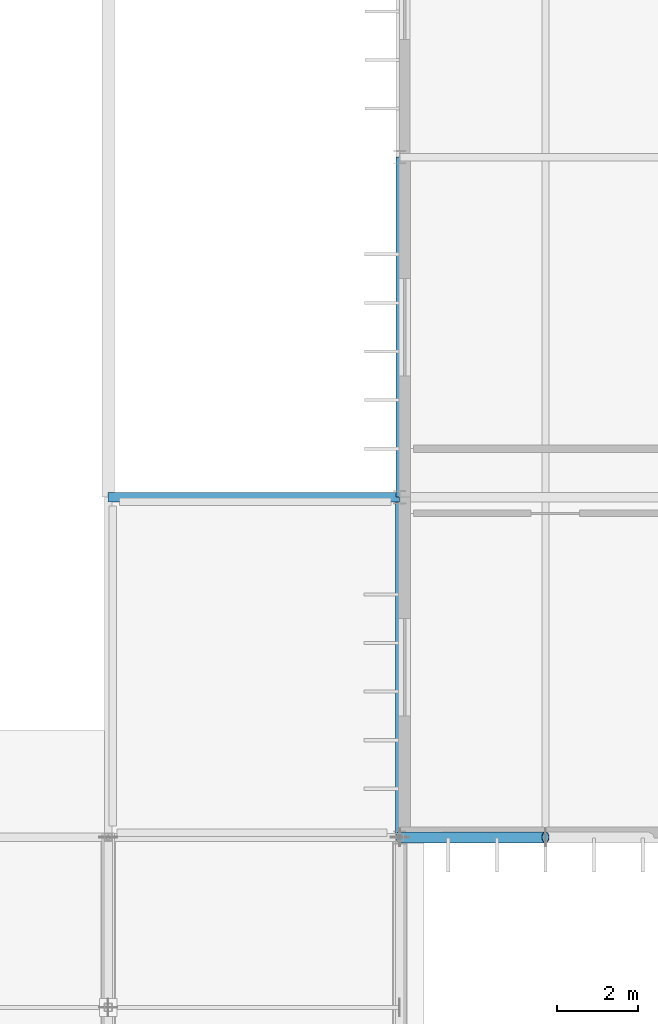
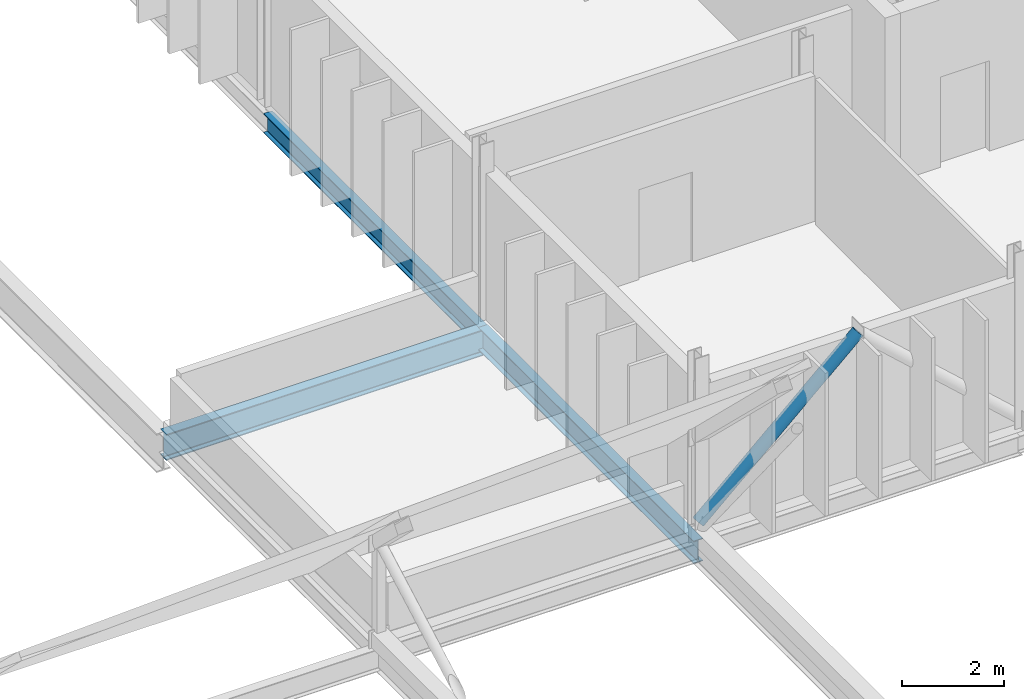
# One storey, part 31 of 99: 3 beams, 1 member.
"""IFC4 building model written with IfcOpenShell, lengths in metres."""

import ifcopenshell
import ifcopenshell.guid

model = None  # the IFC model being written
_history = None  # IfcOwnerHistory: only IFC2X3 demands one
_inside = {}  # id of a spatial element -> (the spatial element, [elements in it])
_under = {}  # id of a project, library or spatial element -> (it, [spatial elements below it])
_declared = {}  # id of a project -> (the project, [libraries it declares])
_typed = {}  # id of a type object -> (the type object, [elements of that type])
_made_of = {}  # id of a material, layer set ... -> (it, [elements and type objects made of it])


def new_model(schema):
    """Start an empty IFC model of exactly this schema.

    Asked for "IFC4X3", IfcOpenShell would pick the latest addendum, in which some entities
    have other attributes; the version numbers below select the first issue.
    IFC2X3 requires an IfcOwnerHistory on every rooted entity: one is made here for all.
    """
    global model, _history
    if schema == "IFC4X3":
        model = ifcopenshell.file(schema_version=(4, 3, 0, 0))
    else:
        model = ifcopenshell.file(schema=schema)
    _inside.clear()
    _under.clear()
    _declared.clear()
    _typed.clear()
    _made_of.clear()
    _history = None
    if model.schema == "IFC2X3":
        org = make("IfcOrganization", Name="unknown")
        user = make(
            "IfcPersonAndOrganization",
            ThePerson=make("IfcPerson", FamilyName="unknown"),
            TheOrganization=org,
        )
        app = make(
            "IfcApplication",
            ApplicationDeveloper=org,
            Version="unknown",
            ApplicationFullName="unknown",
            ApplicationIdentifier="unknown",
        )
        _history = make(
            "IfcOwnerHistory",
            OwningUser=user,
            OwningApplication=app,
            ChangeAction="ADDED",
            CreationDate=0,
        )
    return model


def make(cls, **values):
    """One entity of the class cls with the attributes given. An attribute that is None is left unset."""
    return model.create_entity(
        cls, **{name: value for name, value in values.items() if value is not None}
    )


def rooted(cls, **values):
    """An entity with a GlobalId (a new one), such as an element, a storey or a relation."""
    return make(cls, GlobalId=ifcopenshell.guid.new(), OwnerHistory=_history, **values)


def si_unit(unit_type, name, prefix=None):
    """IfcSIUnit, for example si_unit("LENGTHUNIT", "METRE", prefix="MILLI")."""
    return make("IfcSIUnit", UnitType=unit_type, Prefix=prefix, Name=name)


def assignment(units):
    """IfcUnitAssignment: the units of a project."""
    return None if units is None else make("IfcUnitAssignment", Units=units)


def point(xyz):
    """IfcCartesianPoint."""
    return None if xyz is None else make("IfcCartesianPoint", Coordinates=xyz)


def direction(xyz):
    """IfcDirection."""
    return None if xyz is None else make("IfcDirection", DirectionRatios=xyz)


def frame(location, z_axis=None, x_axis=None):
    """IfcAxis2Placement3D, a coordinate frame: its origin and axes. An axis left out is left unset."""
    return make(
        "IfcAxis2Placement3D",
        Location=point(location),
        Axis=direction(z_axis),
        RefDirection=direction(x_axis),
    )


def frame_2d(location, x_axis=None):
    """IfcAxis2Placement2D, a coordinate frame in the plane: its origin and x axis."""
    return make(
        "IfcAxis2Placement2D", Location=point(location), RefDirection=direction(x_axis)
    )


def origin():
    """The frame at (0, 0, 0) with its axes left unset."""
    return frame((0.0, 0.0, 0.0))


def origin_2d():
    """The frame at (0, 0) in the plane with its x axis left unset."""
    return frame_2d((0.0, 0.0))


def place(relative_to, where):
    """IfcLocalPlacement: puts the frame where relative to a parent placement (None: the world)."""
    return make(
        "IfcLocalPlacement", PlacementRelTo=relative_to, RelativePlacement=where
    )


def context(
    kind, dimensions, precision=None, world=None, true_north=None, identifier=None
):
    """IfcGeometricRepresentationContext, for example the 3D "Model" context."""
    return make(
        "IfcGeometricRepresentationContext",
        ContextIdentifier=identifier,
        ContextType=kind,
        CoordinateSpaceDimension=dimensions,
        Precision=precision,
        WorldCoordinateSystem=world,
        TrueNorth=true_north,
    )


def subcontext(parent, identifier, kind, view, scale=None):
    """IfcGeometricRepresentationSubContext, for example "Body" below "Model"."""
    return make(
        "IfcGeometricRepresentationSubContext",
        ContextIdentifier=identifier,
        ContextType=kind,
        ParentContext=parent,
        TargetScale=scale,
        TargetView=view,
    )


def project(units=None, contexts=None):
    """IfcProject with its units and contexts."""
    return rooted(
        "IfcProject",
        Name="project",
        RepresentationContexts=contexts,
        UnitsInContext=assignment(units),
    )


def spatial(cls, under=None, at=None, **own):
    """A site, building, storey or space (cls), placed at a placement, below another one or the project."""
    s = rooted(cls, ObjectPlacement=at, **own)
    if under is not None:
        _under.setdefault(under.id(), (under, []))[1].append(s)
    return s


def profile(cls, at=None, kind="AREA", **sizes):
    """A parametric profile (cls). Its sizes go by their IFC names, for example OverallWidth=200.0."""
    return make(cls, ProfileType=kind, Position=at, **sizes)


def hollow_circle(**sizes):
    """IfcCircleHollowProfileDef."""
    return profile("IfcCircleHollowProfileDef", **sizes)


def i_section(**sizes):
    """IfcIShapeProfileDef."""
    return profile("IfcIShapeProfileDef", **sizes)


def extrude(swept, where, along, depth):
    """IfcExtrudedAreaSolid: the profile swept, set in the frame where, extruded along a direction by depth."""
    return make(
        "IfcExtrudedAreaSolid",
        SweptArea=swept,
        Position=where,
        ExtrudedDirection=direction(along),
        Depth=depth,
    )


def shape(context_of_items, identifier, shape_type, items):
    """IfcShapeRepresentation: the items that make up one representation, for example the "Body"."""
    return make(
        "IfcShapeRepresentation",
        ContextOfItems=context_of_items,
        RepresentationIdentifier=identifier,
        RepresentationType=shape_type,
        Items=items,
    )


def material(Name=None, Category=None):
    """IfcMaterial."""
    return make("IfcMaterial", Name=Name, Category=Category)


def material_profile(
    of_material, cross_section, Name=None, Category=None, Priority=None
):
    """IfcMaterialProfile: a cross section and its material."""
    return make(
        "IfcMaterialProfile",
        Name=Name,
        Material=of_material,
        Profile=cross_section,
        Priority=Priority,
        Category=Category,
    )


def profile_set(profiles, Name=None, composite=None):
    """IfcMaterialProfileSet."""
    return make(
        "IfcMaterialProfileSet",
        Name=Name,
        MaterialProfiles=profiles,
        CompositeProfile=composite,
    )


def made_of(thing, what):
    """Note that an element or type object is made of a material, layer set ...; save() writes the relation."""
    if what is not None:
        _made_of.setdefault(what.id(), (what, []))[1].append(thing)
    return thing


def type_object(cls, material=None, **own):
    """A type object (cls), such as IfcWallType, which elements share."""
    return made_of(rooted(cls, **own), material)


def element(
    cls,
    number,
    at=None,
    inside=None,
    cuts=None,
    type_object=None,
    material=None,
    context=None,
    identifier="Body",
    shape_type=None,
    held_by="IfcProductDefinitionShape",
    body=None,
    shapes=None,
    **own,
):
    """One element of the class cls, such as IfcWall. Its Tag is "e" and its number.

    at: its placement. inside: the storey or other place that contains it. cuts: it is an
    opening in that element (IfcRelVoidsElement). A single representation is given by context,
    identifier, shape_type and body (its items); several are given by shapes. held_by: the class
    of the entity that holds the representations. save() writes the other relations.
    """
    e = rooted(cls, Tag="e%d" % number, ObjectPlacement=at, **own)
    if body is not None:
        shapes = [shape(context, identifier, shape_type, body)]
    if shapes is not None:
        e.Representation = make(held_by, Representations=shapes)
    if inside is not None:
        _inside.setdefault(inside.id(), (inside, []))[1].append(e)
    if cuts is not None:
        rooted(
            "IfcRelVoidsElement", RelatingBuildingElement=cuts, RelatedOpeningElement=e
        )
    if type_object is not None:
        _typed.setdefault(type_object.id(), (type_object, []))[1].append(e)
    return made_of(e, material)


def aggregate(whole, parts):
    """IfcRelAggregates: a whole, such as a stair, and the parts it consists of."""
    return rooted("IfcRelAggregates", RelatingObject=whole, RelatedObjects=parts)


def save(model, path):
    """Write the relations noted so far, then the file.

    IfcRelAggregates (storeys below a building ...), IfcRelContainedInSpatialStructure (elements
    in a storey), IfcRelDefinesByType, IfcRelAssociatesMaterial and IfcRelDeclares: one each for
    every whole, place, type object, material and project.
    """
    for whole, parts in _under.values():
        aggregate(whole, parts)
    for where, things in _inside.values():
        rooted(
            "IfcRelContainedInSpatialStructure",
            RelatedElements=things,
            RelatingStructure=where,
        )
    for kind, things in _typed.values():
        rooted("IfcRelDefinesByType", RelatedObjects=things, RelatingType=kind)
    for what, things in _made_of.values():
        rooted("IfcRelAssociatesMaterial", RelatedObjects=things, RelatingMaterial=what)
    for by, libraries in _declared.values():
        rooted("IfcRelDeclares", RelatingContext=by, RelatedDefinitions=libraries)
    model.write(path)


model = new_model("IFC4")

# Units and contexts
model_context = context("Model", 3, precision=1e-05, world=origin(), true_north=direction((0.0, 1.0)))
body_context = subcontext(model_context, "Body", "Model", "MODEL_VIEW")
ifc_project = project(units=[si_unit("LENGTHUNIT", "METRE"), si_unit("AREAUNIT", "SQUARE_METRE"), si_unit("VOLUMEUNIT", "CUBIC_METRE"), si_unit("PLANEANGLEUNIT", "RADIAN"), si_unit("MASSUNIT", "GRAM", prefix="KILO")], contexts=[model_context])

# Site, building, storey
site_placement = place(None, origin())
site = spatial("IfcSite", under=ifc_project, at=site_placement, CompositionType="ELEMENT")
building_placement = place(site_placement, origin())
building = spatial("IfcBuilding", under=site, at=building_placement, Name="Qelthora Terrace Specialist Clinic", CompositionType="ELEMENT")
storey_placement = place(building_placement, frame((0.0, 0.0, 9.0)))
storey = spatial("IfcBuildingStorey", under=building, at=storey_placement, Name="L02", CompositionType="ELEMENT", Elevation=9.0)

# Beams
ifc_material = material(Name="Steel S355", Category="steel")
ifc_material_profile_1 = material_profile(ifc_material, i_section(OverallWidth=0.193115234375, OverallDepth=0.466064453125, WebThickness=0.011474609375, FlangeThickness=0.01904296875, FilletRadius=0.012939453125, at=origin_2d()), Name="W460X97")
ifc_profile_set_1 = profile_set([ifc_material_profile_1], Name="Steel S355")
beam_type_1 = type_object("IfcBeamType", Name="BM-W460X97", PredefinedType="BEAM", material=ifc_profile_set_1)
beam_1_placement = place(storey_placement, frame((93.60009765625, 42.0, -0.48291015625), z_axis=(0.0, 1.0, 0.0), x_axis=(-1.0, 0.0, 0.0)))
element("IfcBeam", 1, at=beam_1_placement, inside=storey, type_object=beam_type_1, Name="Girder BMY-L02-0837", PredefinedType="BEAM", context=body_context, shape_type="SweptSolid", body=[
    extrude(i_section(OverallWidth=0.193115234375, OverallDepth=0.466064453125, WebThickness=0.011474609375, FlangeThickness=0.01904296875, FilletRadius=0.012939453125, at=origin_2d()), origin(), (0.0, 0.0, 1.0), 8.39990234375),
])
ifc_material_profile_2 = material_profile(ifc_material, i_section(OverallWidth=0.2099609375, OverallDepth=0.537109375, WebThickness=0.010986328125, FlangeThickness=0.017333984375, FilletRadius=0.013916015625, at=origin_2d()), Name="W530X101")
ifc_profile_set_2 = profile_set([ifc_material_profile_2], Name="Steel S355")
beam_type_2 = type_object("IfcBeamType", Name="BM-W530X101", PredefinedType="BEAM", material=ifc_profile_set_2)
beam_2_placement = place(storey_placement, frame((93.60009765625, 33.60009765625, -0.5185546875), z_axis=(0.0, 1.0, 0.0), x_axis=(-1.0, 0.0, 0.0)))
element("IfcBeam", 2, at=beam_2_placement, inside=storey, type_object=beam_type_2, Name="Girder BMY-L02-0836", PredefinedType="BEAM", context=body_context, shape_type="SweptSolid", body=[
    extrude(i_section(OverallWidth=0.2099609375, OverallDepth=0.537109375, WebThickness=0.010986328125, FlangeThickness=0.017333984375, FilletRadius=0.013916015625, at=origin_2d()), origin(), (0.0, 0.0, 1.0), 8.39990234375),
])
ifc_material_profile_3 = material_profile(ifc_material, i_section(OverallWidth=0.22998046875, OverallDepth=0.616943359375, WebThickness=0.01318359375, FlangeThickness=0.022216796875, FilletRadius=0.01611328125, at=origin_2d()), Name="W610X140")
ifc_profile_set_3 = profile_set([ifc_material_profile_3], Name="Steel S355")
beam_type_3 = type_object("IfcBeamType", Name="BM-W610X140", PredefinedType="BEAM", material=ifc_profile_set_3)
beam_3_placement = place(storey_placement, frame((86.39990234375, 42.0, -0.55859375), z_axis=(1.0, 0.0, 0.0), x_axis=(0.0, 1.0, 0.0)))
element("IfcBeam", 3, at=beam_3_placement, inside=storey, type_object=beam_type_3, Name="Girder BMX-L02-0619", PredefinedType="BEAM", context=body_context, shape_type="SweptSolid", body=[
    extrude(i_section(OverallWidth=0.22998046875, OverallDepth=0.616943359375, WebThickness=0.01318359375, FlangeThickness=0.022216796875, FilletRadius=0.01611328125, at=origin_2d()), origin(), (0.0, 0.0, 1.0), 7.2001953125),
])

# Member
ifc_material_profile_4 = material_profile(ifc_material, hollow_circle(Radius=0.136474609375, WallThickness=0.011962890625, at=origin_2d()), Name="CHS273X12")
ifc_profile_set_4 = profile_set([ifc_material_profile_4], Name="Steel S355")
member_type = type_object("IfcMemberType", Name="MEM-BRACE-CHS273", PredefinedType="BRACE", material=ifc_profile_set_4)
member_placement = place(storey_placement, frame((93.60009765625, 33.60009765625, 0.179931640625), z_axis=(0.740203511447, 0.0, 0.672382898089), x_axis=(0.0, 1.0, 0.0)))
element("IfcMember", 4, at=member_placement, inside=storey, type_object=member_type, Name="Concentric seismic chevron brace B8-L02A", PredefinedType="BRACE", context=body_context, shape_type="SweptSolid", body=[
    extrude(hollow_circle(Radius=0.136474609375, WallThickness=0.011962890625, at=origin_2d()), origin(), (0.0, 0.0, 1.0), 4.86328125),
])

save(model, "model.ifc")
